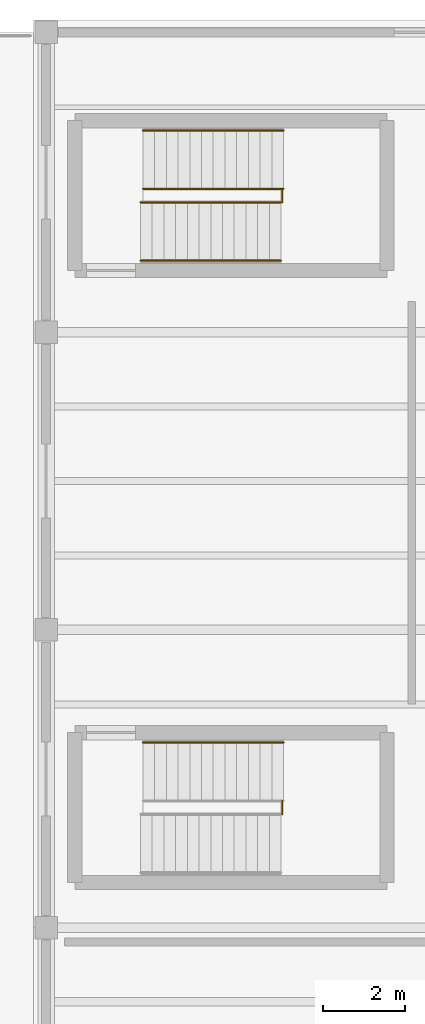
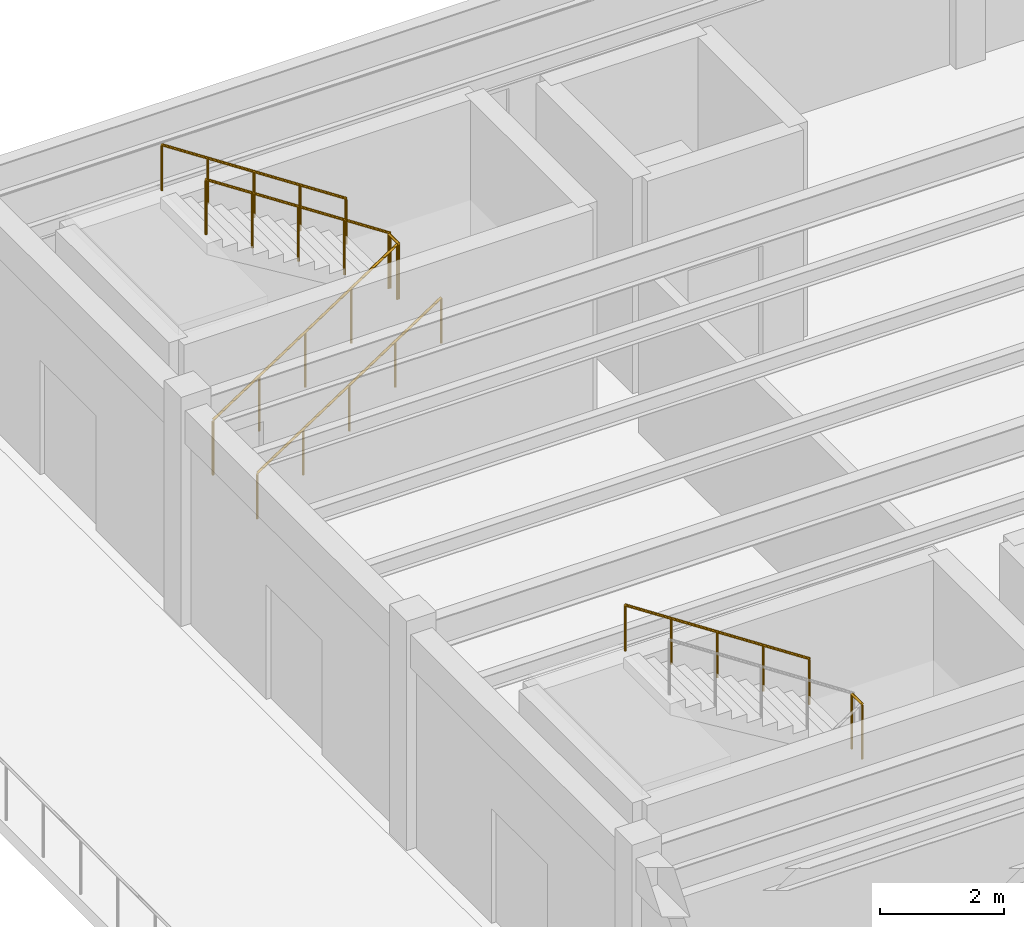
# One storey, part 84 of 85: 7 railings.
"""IFC4 building model written with IfcOpenShell, lengths in metres."""

from ifc_helpers import new_model, si_unit, direction, frame, origin, origin_2d, place, context, subcontext, project, spatial, circle, extrude, material, type_object, element, save


model = new_model("IFC4")

# Units and contexts
model_context = context("Model", 3, precision=1e-05, world=origin(), true_north=direction((0.0, 1.0)))
body_context = subcontext(model_context, "Body", "Model", "MODEL_VIEW")
ifc_project = project(units=[si_unit("LENGTHUNIT", "METRE"), si_unit("AREAUNIT", "SQUARE_METRE"), si_unit("VOLUMEUNIT", "CUBIC_METRE"), si_unit("PLANEANGLEUNIT", "RADIAN"), si_unit("MASSUNIT", "GRAM", prefix="KILO")], contexts=[model_context])

# Site, building, storey
site_placement = place(None, origin())
site = spatial("IfcSite", under=ifc_project, at=site_placement, CompositionType="ELEMENT")
building_placement = place(site_placement, origin())
building = spatial("IfcBuilding", under=site, at=building_placement, Name="Candilejo Ridge Gondola Terminal", CompositionType="ELEMENT")
storey_placement = place(building_placement, frame((0.0, 0.0, 4.5)))
storey = spatial("IfcBuildingStorey", under=building, at=storey_placement, Name="L01", CompositionType="ELEMENT", Elevation=4.5)

# Railings
ifc_material_1 = material(Name="Hot-dip galvanised steel ASTM A500 Grade B", Category="steel")
railing_type_1 = type_object("IfcRailingType", Name="ARC-STAIR-GUARD-1100", PredefinedType="GUARDRAIL", material=ifc_material_1)
railing_1_placement = place(storey_placement, frame((155.75, 101.81005859375, 2.25)))
element("IfcRailing", 1, at=railing_1_placement, inside=storey, type_object=railing_type_1, Name="Half-landing slot guard ST-V5A-LND-01", PredefinedType="GUARDRAIL", context=body_context, shape_type="SweptSolid", body=[
    extrude(circle(Radius=0.02392578125, at=origin_2d()), frame((0.0, 0.0, 1.076171875), z_axis=(0.0, 1.0, 0.0), x_axis=(-1.0, 0.0, 0.0)), (0.0, 0.0, 1.0), 0.329833984375),
    extrude(circle(Radius=0.02099609375, at=origin_2d()), origin(), (0.0, 0.0, 1.0), 1.052001953125),
    extrude(circle(Radius=0.02099609375, at=origin_2d()), frame((0.0, 0.329833984375, 0.0)), (0.0, 0.0, 1.0), 1.052001953125),
])
railing_2_placement = place(storey_placement, frame((152.300048828125, 116.7099609375, 0.0)))
element("IfcRailing", 2, at=railing_2_placement, inside=storey, type_object=railing_type_1, Name="Flight well guard ST-V5B-F01", PredefinedType="GUARDRAIL", context=body_context, shape_type="SweptSolid", body=[
    extrude(circle(Radius=0.02392578125, at=origin_2d()), frame((0.0, 0.0, 1.076171875), z_axis=(0.835411317272, 0.0, 0.549625264133), x_axis=(0.0, 1.0, 0.0)), (0.0, 0.0, 1.0), 4.09375),
    extrude(circle(Radius=0.02099609375, at=origin_2d()), origin(), (0.0, 0.0, 1.0), 1.052001953125),
    extrude(circle(Radius=0.02099609375, at=origin_2d()), frame((0.85498046875, 0.0, 0.5625)), (0.0, 0.0, 1.0), 1.052001953125),
    extrude(circle(Radius=0.02099609375, at=origin_2d()), frame((1.7099609375, 0.0, 1.125)), (0.0, 0.0, 1.0), 1.052001953125),
    extrude(circle(Radius=0.02099609375, at=origin_2d()), frame((2.56494140625, 0.0, 1.6875)), (0.0, 0.0, 1.0), 1.052001953125),
    extrude(circle(Radius=0.02099609375, at=origin_2d()), frame((3.419921875, 0.0, 2.25)), (0.0, 0.0, 1.0), 1.052001953125),
])
railing_3_placement = place(storey_placement, frame((155.75, 116.7099609375, 2.25)))
element("IfcRailing", 3, at=railing_3_placement, inside=storey, type_object=railing_type_1, Name="Half-landing slot guard ST-V5B-LND-01", PredefinedType="GUARDRAIL", context=body_context, shape_type="SweptSolid", body=[
    extrude(circle(Radius=0.02392578125, at=origin_2d()), frame((0.0, 0.0, 1.076171875), z_axis=(0.0, 1.0, 0.0), x_axis=(-1.0, 0.0, 0.0)), (0.0, 0.0, 1.0), 0.330078125),
    extrude(circle(Radius=0.02099609375, at=origin_2d()), origin(), (0.0, 0.0, 1.0), 1.052001953125),
    extrude(circle(Radius=0.02099609375, at=origin_2d()), frame((0.0, 0.330078125, 0.0)), (0.0, 0.0, 1.0), 1.052001953125),
])
railing_4_placement = place(storey_placement, frame((155.780029296875, 117.0400390625, 2.25)))
element("IfcRailing", 4, at=railing_4_placement, inside=storey, type_object=railing_type_1, Name="Flight well guard ST-V5B-F02", PredefinedType="GUARDRAIL", context=body_context, shape_type="SweptSolid", body=[
    extrude(circle(Radius=0.02392578125, at=origin_2d()), frame((0.0, 0.0, 1.076171875), z_axis=(-0.835411317272, 0.0, 0.549625264133), x_axis=(0.0, -1.0, 0.0)), (0.0, 0.0, 1.0), 4.09375),
    extrude(circle(Radius=0.02099609375, at=origin_2d()), origin(), (0.0, 0.0, 1.0), 1.052001953125),
    extrude(circle(Radius=0.02099609375, at=origin_2d()), frame((-0.85498046875, 0.0, 0.5625)), (0.0, 0.0, 1.0), 1.052001953125),
    extrude(circle(Radius=0.02099609375, at=origin_2d()), frame((-1.7099609375, 0.0, 1.125)), (0.0, 0.0, 1.0), 1.052001953125),
    extrude(circle(Radius=0.02099609375, at=origin_2d()), frame((-2.56494140625, 0.0, 1.6875)), (0.0, 0.0, 1.0), 1.052001953125),
    extrude(circle(Radius=0.02099609375, at=origin_2d()), frame((-3.419921875, 0.0, 2.25)), (0.0, 0.0, 1.0), 1.052001953125),
])
ifc_material_2 = material(Name="Brushed stainless steel AISI 316", Category="steel")
railing_type_2 = type_object("IfcRailingType", Name="ARC-STAIR-HANDRAIL-920", PredefinedType="HANDRAIL", material=ifc_material_2)
railing_5_placement = place(storey_placement, frame((155.780029296875, 103.56005859375, 2.25)))
element("IfcRailing", 5, at=railing_5_placement, inside=storey, type_object=railing_type_2, Name="Wall handrail ST-V5A-F02", PredefinedType="HANDRAIL", context=body_context, shape_type="SweptSolid", body=[
    extrude(circle(Radius=0.02392578125, at=origin_2d()), frame((0.0, 0.0, 0.89599609375), z_axis=(-0.835411317272, 0.0, 0.549625264133), x_axis=(0.0, -1.0, 0.0)), (0.0, 0.0, 1.0), 4.09375),
    extrude(circle(Radius=0.02099609375, at=origin_2d()), origin(), (0.0, 0.0, 1.0), 0.871826171875),
    extrude(circle(Radius=0.02099609375, at=origin_2d()), frame((-0.85498046875, 0.0, 0.5625)), (0.0, 0.0, 1.0), 0.871826171875),
    extrude(circle(Radius=0.02099609375, at=origin_2d()), frame((-1.7099609375, 0.0, 1.125)), (0.0, 0.0, 1.0), 0.871826171875),
    extrude(circle(Radius=0.02099609375, at=origin_2d()), frame((-2.56494140625, 0.0, 1.6875)), (0.0, 0.0, 1.0), 0.871826171875),
    extrude(circle(Radius=0.02099609375, at=origin_2d()), frame((-3.419921875, 0.0, 2.25)), (0.0, 0.0, 1.0), 0.871826171875),
])
railing_6_placement = place(storey_placement, frame((152.300048828125, 115.2900390625, 0.0)))
element("IfcRailing", 6, at=railing_6_placement, inside=storey, type_object=railing_type_2, Name="Wall handrail ST-V5B-F01", PredefinedType="HANDRAIL", context=body_context, shape_type="SweptSolid", body=[
    extrude(circle(Radius=0.02392578125, at=origin_2d()), frame((0.0, 0.0, 0.89599609375), z_axis=(0.835411317272, 0.0, 0.549625264133), x_axis=(0.0, 1.0, 0.0)), (0.0, 0.0, 1.0), 4.09375),
    extrude(circle(Radius=0.02099609375, at=origin_2d()), origin(), (0.0, 0.0, 1.0), 0.871826171875),
    extrude(circle(Radius=0.02099609375, at=origin_2d()), frame((0.85498046875, 0.0, 0.5625)), (0.0, 0.0, 1.0), 0.871826171875),
    extrude(circle(Radius=0.02099609375, at=origin_2d()), frame((1.7099609375, 0.0, 1.125)), (0.0, 0.0, 1.0), 0.871826171875),
    extrude(circle(Radius=0.02099609375, at=origin_2d()), frame((2.56494140625, 0.0, 1.6875)), (0.0, 0.0, 1.0), 0.871826171875),
    extrude(circle(Radius=0.02099609375, at=origin_2d()), frame((3.419921875, 0.0, 2.25)), (0.0, 0.0, 1.0), 0.871826171875),
])
railing_7_placement = place(storey_placement, frame((155.780029296875, 118.4599609375, 2.25)))
element("IfcRailing", 7, at=railing_7_placement, inside=storey, type_object=railing_type_2, Name="Wall handrail ST-V5B-F02", PredefinedType="HANDRAIL", context=body_context, shape_type="SweptSolid", body=[
    extrude(circle(Radius=0.02392578125, at=origin_2d()), frame((0.0, 0.0, 0.89599609375), z_axis=(-0.835411317272, 0.0, 0.549625264133), x_axis=(0.0, -1.0, 0.0)), (0.0, 0.0, 1.0), 4.09375),
    extrude(circle(Radius=0.02099609375, at=origin_2d()), origin(), (0.0, 0.0, 1.0), 0.871826171875),
    extrude(circle(Radius=0.02099609375, at=origin_2d()), frame((-0.85498046875, 0.0, 0.5625)), (0.0, 0.0, 1.0), 0.871826171875),
    extrude(circle(Radius=0.02099609375, at=origin_2d()), frame((-1.7099609375, 0.0, 1.125)), (0.0, 0.0, 1.0), 0.871826171875),
    extrude(circle(Radius=0.02099609375, at=origin_2d()), frame((-2.56494140625, 0.0, 1.6875)), (0.0, 0.0, 1.0), 0.871826171875),
    extrude(circle(Radius=0.02099609375, at=origin_2d()), frame((-3.419921875, 0.0, 2.25)), (0.0, 0.0, 1.0), 0.871826171875),
])

save(model, "model.ifc")
